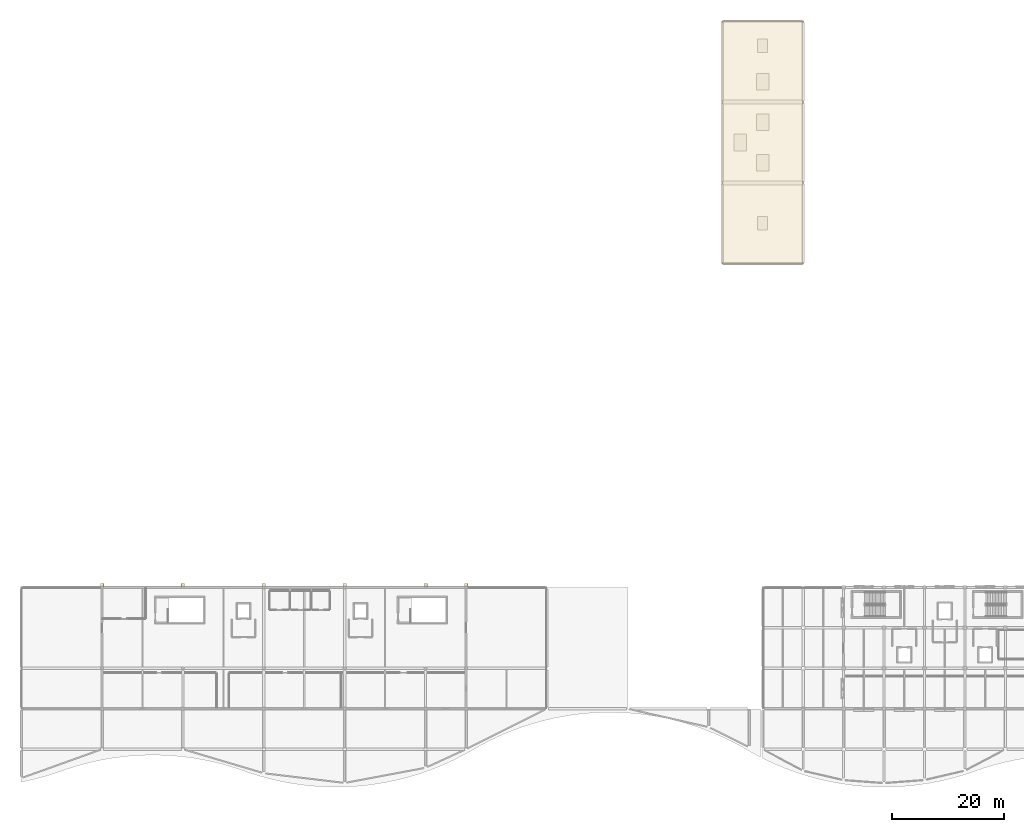
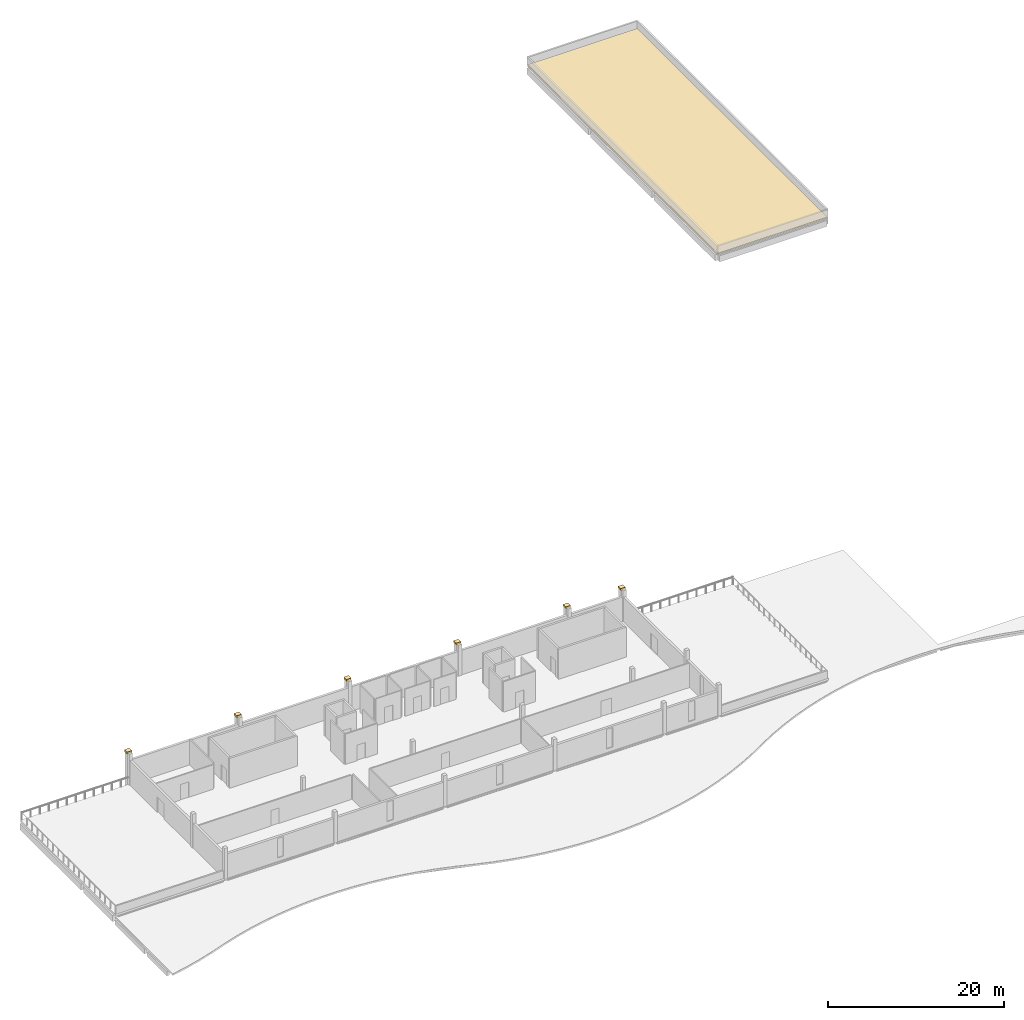
# One storey, part 22 of 23: 7 coverings.
"""IFC4 building model written with IfcOpenShell, lengths in metres."""

import ifcopenshell
import ifcopenshell.guid

model = None  # the IFC model being written
_history = None  # IfcOwnerHistory: only IFC2X3 demands one
_inside = {}  # id of a spatial element -> (the spatial element, [elements in it])
_under = {}  # id of a project, library or spatial element -> (it, [spatial elements below it])
_declared = {}  # id of a project -> (the project, [libraries it declares])
_typed = {}  # id of a type object -> (the type object, [elements of that type])
_made_of = {}  # id of a material, layer set ... -> (it, [elements and type objects made of it])


def new_model(schema):
    """Start an empty IFC model of exactly this schema.

    Asked for "IFC4X3", IfcOpenShell would pick the latest addendum, in which some entities
    have other attributes; the version numbers below select the first issue.
    IFC2X3 requires an IfcOwnerHistory on every rooted entity: one is made here for all.
    """
    global model, _history
    if schema == "IFC4X3":
        model = ifcopenshell.file(schema_version=(4, 3, 0, 0))
    else:
        model = ifcopenshell.file(schema=schema)
    _inside.clear()
    _under.clear()
    _declared.clear()
    _typed.clear()
    _made_of.clear()
    _history = None
    if model.schema == "IFC2X3":
        org = make("IfcOrganization", Name="unknown")
        user = make(
            "IfcPersonAndOrganization",
            ThePerson=make("IfcPerson", FamilyName="unknown"),
            TheOrganization=org,
        )
        app = make(
            "IfcApplication",
            ApplicationDeveloper=org,
            Version="unknown",
            ApplicationFullName="unknown",
            ApplicationIdentifier="unknown",
        )
        _history = make(
            "IfcOwnerHistory",
            OwningUser=user,
            OwningApplication=app,
            ChangeAction="ADDED",
            CreationDate=0,
        )
    return model


def make(cls, **values):
    """One entity of the class cls with the attributes given. An attribute that is None is left unset."""
    return model.create_entity(
        cls, **{name: value for name, value in values.items() if value is not None}
    )


def rooted(cls, **values):
    """An entity with a GlobalId (a new one), such as an element, a storey or a relation."""
    return make(cls, GlobalId=ifcopenshell.guid.new(), OwnerHistory=_history, **values)


def si_unit(unit_type, name, prefix=None):
    """IfcSIUnit, for example si_unit("LENGTHUNIT", "METRE", prefix="MILLI")."""
    return make("IfcSIUnit", UnitType=unit_type, Prefix=prefix, Name=name)


def assignment(units):
    """IfcUnitAssignment: the units of a project."""
    return None if units is None else make("IfcUnitAssignment", Units=units)


def point(xyz):
    """IfcCartesianPoint."""
    return None if xyz is None else make("IfcCartesianPoint", Coordinates=xyz)


def direction(xyz):
    """IfcDirection."""
    return None if xyz is None else make("IfcDirection", DirectionRatios=xyz)


def frame(location, z_axis=None, x_axis=None):
    """IfcAxis2Placement3D, a coordinate frame: its origin and axes. An axis left out is left unset."""
    return make(
        "IfcAxis2Placement3D",
        Location=point(location),
        Axis=direction(z_axis),
        RefDirection=direction(x_axis),
    )


def origin():
    """The frame at (0, 0, 0) with its axes left unset."""
    return frame((0.0, 0.0, 0.0))


def place(relative_to, where):
    """IfcLocalPlacement: puts the frame where relative to a parent placement (None: the world)."""
    return make(
        "IfcLocalPlacement", PlacementRelTo=relative_to, RelativePlacement=where
    )


def context(
    kind, dimensions, precision=None, world=None, true_north=None, identifier=None
):
    """IfcGeometricRepresentationContext, for example the 3D "Model" context."""
    return make(
        "IfcGeometricRepresentationContext",
        ContextIdentifier=identifier,
        ContextType=kind,
        CoordinateSpaceDimension=dimensions,
        Precision=precision,
        WorldCoordinateSystem=world,
        TrueNorth=true_north,
    )


def subcontext(parent, identifier, kind, view, scale=None):
    """IfcGeometricRepresentationSubContext, for example "Body" below "Model"."""
    return make(
        "IfcGeometricRepresentationSubContext",
        ContextIdentifier=identifier,
        ContextType=kind,
        ParentContext=parent,
        TargetScale=scale,
        TargetView=view,
    )


def project(units=None, contexts=None):
    """IfcProject with its units and contexts."""
    return rooted(
        "IfcProject",
        Name="project",
        RepresentationContexts=contexts,
        UnitsInContext=assignment(units),
    )


def spatial(cls, under=None, at=None, **own):
    """A site, building, storey or space (cls), placed at a placement, below another one or the project."""
    s = rooted(cls, ObjectPlacement=at, **own)
    if under is not None:
        _under.setdefault(under.id(), (under, []))[1].append(s)
    return s


def polyline(points):
    """IfcPolyline through the points."""
    return make("IfcPolyline", Points=[point(p) for p in points])


def outline(outer, holes=None, kind="AREA"):
    """IfcArbitraryClosedProfileDef: a profile drawn as a closed curve; with holes, ...WithVoids."""
    if holes is None:
        return make("IfcArbitraryClosedProfileDef", ProfileType=kind, OuterCurve=outer)
    return make(
        "IfcArbitraryProfileDefWithVoids",
        ProfileType=kind,
        OuterCurve=outer,
        InnerCurves=holes,
    )


def extrude(swept, where, along, depth):
    """IfcExtrudedAreaSolid: the profile swept, set in the frame where, extruded along a direction by depth."""
    return make(
        "IfcExtrudedAreaSolid",
        SweptArea=swept,
        Position=where,
        ExtrudedDirection=direction(along),
        Depth=depth,
    )


def shape(context_of_items, identifier, shape_type, items):
    """IfcShapeRepresentation: the items that make up one representation, for example the "Body"."""
    return make(
        "IfcShapeRepresentation",
        ContextOfItems=context_of_items,
        RepresentationIdentifier=identifier,
        RepresentationType=shape_type,
        Items=items,
    )


def material(Name=None, Category=None):
    """IfcMaterial."""
    return make("IfcMaterial", Name=Name, Category=Category)


def layer(
    of_material, thickness, ventilated=None, Name=None, Category=None, Priority=None
):
    """IfcMaterialLayer: one layer of a wall or slab, of a material (None: an air gap)."""
    return make(
        "IfcMaterialLayer",
        Material=of_material,
        LayerThickness=thickness,
        IsVentilated=ventilated,
        Name=Name,
        Category=Category,
        Priority=Priority,
    )


def layer_set(layers, Name=None):
    """IfcMaterialLayerSet."""
    return make("IfcMaterialLayerSet", MaterialLayers=layers, LayerSetName=Name)


def made_of(thing, what):
    """Note that an element or type object is made of a material, layer set ...; save() writes the relation."""
    if what is not None:
        _made_of.setdefault(what.id(), (what, []))[1].append(thing)
    return thing


def type_object(cls, material=None, **own):
    """A type object (cls), such as IfcWallType, which elements share."""
    return made_of(rooted(cls, **own), material)


def element(
    cls,
    number,
    at=None,
    inside=None,
    cuts=None,
    type_object=None,
    material=None,
    context=None,
    identifier="Body",
    shape_type=None,
    held_by="IfcProductDefinitionShape",
    body=None,
    shapes=None,
    **own,
):
    """One element of the class cls, such as IfcWall. Its Tag is "e" and its number.

    at: its placement. inside: the storey or other place that contains it. cuts: it is an
    opening in that element (IfcRelVoidsElement). A single representation is given by context,
    identifier, shape_type and body (its items); several are given by shapes. held_by: the class
    of the entity that holds the representations. save() writes the other relations.
    """
    e = rooted(cls, Tag="e%d" % number, ObjectPlacement=at, **own)
    if body is not None:
        shapes = [shape(context, identifier, shape_type, body)]
    if shapes is not None:
        e.Representation = make(held_by, Representations=shapes)
    if inside is not None:
        _inside.setdefault(inside.id(), (inside, []))[1].append(e)
    if cuts is not None:
        rooted(
            "IfcRelVoidsElement", RelatingBuildingElement=cuts, RelatedOpeningElement=e
        )
    if type_object is not None:
        _typed.setdefault(type_object.id(), (type_object, []))[1].append(e)
    return made_of(e, material)


def aggregate(whole, parts):
    """IfcRelAggregates: a whole, such as a stair, and the parts it consists of."""
    return rooted("IfcRelAggregates", RelatingObject=whole, RelatedObjects=parts)


def save(model, path):
    """Write the relations noted so far, then the file.

    IfcRelAggregates (storeys below a building ...), IfcRelContainedInSpatialStructure (elements
    in a storey), IfcRelDefinesByType, IfcRelAssociatesMaterial and IfcRelDeclares: one each for
    every whole, place, type object, material and project.
    """
    for whole, parts in _under.values():
        aggregate(whole, parts)
    for where, things in _inside.values():
        rooted(
            "IfcRelContainedInSpatialStructure",
            RelatedElements=things,
            RelatingStructure=where,
        )
    for kind, things in _typed.values():
        rooted("IfcRelDefinesByType", RelatedObjects=things, RelatingType=kind)
    for what, things in _made_of.values():
        rooted("IfcRelAssociatesMaterial", RelatedObjects=things, RelatingMaterial=what)
    for by, libraries in _declared.values():
        rooted("IfcRelDeclares", RelatingContext=by, RelatedDefinitions=libraries)
    model.write(path)


model = new_model("IFC4")

# Units and contexts
model_context = context("Model", 3, precision=1e-05, world=origin(), true_north=direction((0.0, 1.0)))
body_context = subcontext(model_context, "Body", "Model", "MODEL_VIEW")
ifc_project = project(units=[si_unit("LENGTHUNIT", "METRE"), si_unit("AREAUNIT", "SQUARE_METRE"), si_unit("VOLUMEUNIT", "CUBIC_METRE"), si_unit("PLANEANGLEUNIT", "RADIAN"), si_unit("MASSUNIT", "GRAM", prefix="KILO")], contexts=[model_context])

# Site, building, storey
site_placement = place(None, origin())
site = spatial("IfcSite", under=ifc_project, at=site_placement, CompositionType="ELEMENT")
building_placement = place(site_placement, origin())
building = spatial("IfcBuilding", under=site, at=building_placement, Name="Cendralis Lancet Convention Centre", CompositionType="ELEMENT")
storey_placement = place(building_placement, frame((0.0, 0.0, 19.800048828125)))
storey = spatial("IfcBuildingStorey", under=building, at=storey_placement, Name="L04", CompositionType="ELEMENT", Elevation=19.800048828125)

# Coverings
ifc_material_1 = material(Name="Dark Andean slate chevron cassette", Category="masonry")
ifc_layer_1 = layer(ifc_material_1, 0.06005859375, Name="Dark Andean slate chevron cassette")
ifc_layer_set_1 = layer_set([ifc_layer_1], Name="Dark Andean slate chevron cassette")
covering_type_1 = type_object("IfcCoveringType", Name="ARC-CV-CLAD2", PredefinedType="CLADDING", material=ifc_layer_set_1)
covering_1_placement = place(storey_placement, frame((0.0, 0.0, 4.14990234375)))
element("IfcCovering", 1, at=covering_1_placement, inside=storey, type_object=covering_type_1, Name="Gothic Buttress Slate Pinnacle Cap #0068", PredefinedType="CLADDING", context=body_context, shape_type="SweptSolid", body=[
    extrude(outline(polyline([(14.7099609375, 36.719970703125), (14.090087890625, 36.719970703125), (14.090087890625, 36.1298828125), (14.7099609375, 36.1298828125), (14.7099609375, 36.719970703125)])), origin(), (0.0, 0.0, 1.0), 0.260009765625),
])
covering_2_placement = place(storey_placement, frame((0.0, 0.0, 4.14990234375)))
element("IfcCovering", 2, at=covering_2_placement, inside=storey, type_object=covering_type_1, Name="Gothic Buttress Slate Pinnacle Cap #0069", PredefinedType="CLADDING", context=body_context, shape_type="SweptSolid", body=[
    extrude(outline(polyline([(29.110107421875, 36.719970703125), (28.489990234375, 36.719970703125), (28.489990234375, 36.1298828125), (29.110107421875, 36.1298828125), (29.110107421875, 36.719970703125)])), origin(), (0.0, 0.0, 1.0), 0.260009765625),
])
covering_3_placement = place(storey_placement, frame((0.0, 0.0, 4.14990234375)))
element("IfcCovering", 3, at=covering_3_placement, inside=storey, type_object=covering_type_1, Name="Gothic Buttress Slate Pinnacle Cap #0070", PredefinedType="CLADDING", context=body_context, shape_type="SweptSolid", body=[
    extrude(outline(polyline([(43.510009765625, 36.719970703125), (42.889892578125, 36.719970703125), (42.889892578125, 36.1298828125), (43.510009765625, 36.1298828125), (43.510009765625, 36.719970703125)])), origin(), (0.0, 0.0, 1.0), 0.260009765625),
])
covering_4_placement = place(storey_placement, frame((0.0, 0.0, 4.14990234375)))
element("IfcCovering", 4, at=covering_4_placement, inside=storey, type_object=covering_type_1, Name="Gothic Buttress Slate Pinnacle Cap #0071", PredefinedType="CLADDING", context=body_context, shape_type="SweptSolid", body=[
    extrude(outline(polyline([(57.909912109375, 36.719970703125), (57.2900390625, 36.719970703125), (57.2900390625, 36.1298828125), (57.909912109375, 36.1298828125), (57.909912109375, 36.719970703125)])), origin(), (0.0, 0.0, 1.0), 0.260009765625),
])
covering_5_placement = place(storey_placement, frame((0.0, 0.0, 4.14990234375)))
element("IfcCovering", 5, at=covering_5_placement, inside=storey, type_object=covering_type_1, Name="Gothic Buttress Slate Pinnacle Cap #0072", PredefinedType="CLADDING", context=body_context, shape_type="SweptSolid", body=[
    extrude(outline(polyline([(72.31005859375, 36.719970703125), (71.68994140625, 36.719970703125), (71.68994140625, 36.1298828125), (72.31005859375, 36.1298828125), (72.31005859375, 36.719970703125)])), origin(), (0.0, 0.0, 1.0), 0.260009765625),
])
covering_6_placement = place(storey_placement, frame((0.0, 0.0, 4.14990234375)))
element("IfcCovering", 6, at=covering_6_placement, inside=storey, type_object=covering_type_1, Name="Gothic Buttress Slate Pinnacle Cap #0073", PredefinedType="CLADDING", context=body_context, shape_type="SweptSolid", body=[
    extrude(outline(polyline([(79.510009765625, 36.719970703125), (78.889892578125, 36.719970703125), (78.889892578125, 36.1298828125), (79.510009765625, 36.1298828125), (79.510009765625, 36.719970703125)])), origin(), (0.0, 0.0, 1.0), 0.260009765625),
])
ifc_material_2 = material(Name="Elastomeric waterproof roof membrane")
ifc_layer_2 = layer(ifc_material_2, 0.050048828125, Name="Elastomeric waterproof roof membrane")
ifc_layer_set_2 = layer_set([ifc_layer_2], Name="Elastomeric waterproof roof membrane")
covering_type_2 = type_object("IfcCoveringType", Name="ARC-CV-MEMB", PredefinedType="ROOFING", material=ifc_layer_set_2)
covering_7_placement = place(storey_placement, origin())
element("IfcCovering", 7, at=covering_7_placement, inside=storey, type_object=covering_type_2, Name="L04 Elastomeric Roof Membrane V3PAV", PredefinedType="ROOFING", context=body_context, shape_type="SweptSolid", body=[
    extrude(outline(polyline([(124.800048828125, 93.60009765625), (139.199951171875, 93.60009765625), (139.199951171875, 136.800048828125), (124.800048828125, 136.800048828125), (124.800048828125, 93.60009765625)])), origin(), (0.0, 0.0, 1.0), 0.0400390625),
])

save(model, "model.ifc")
